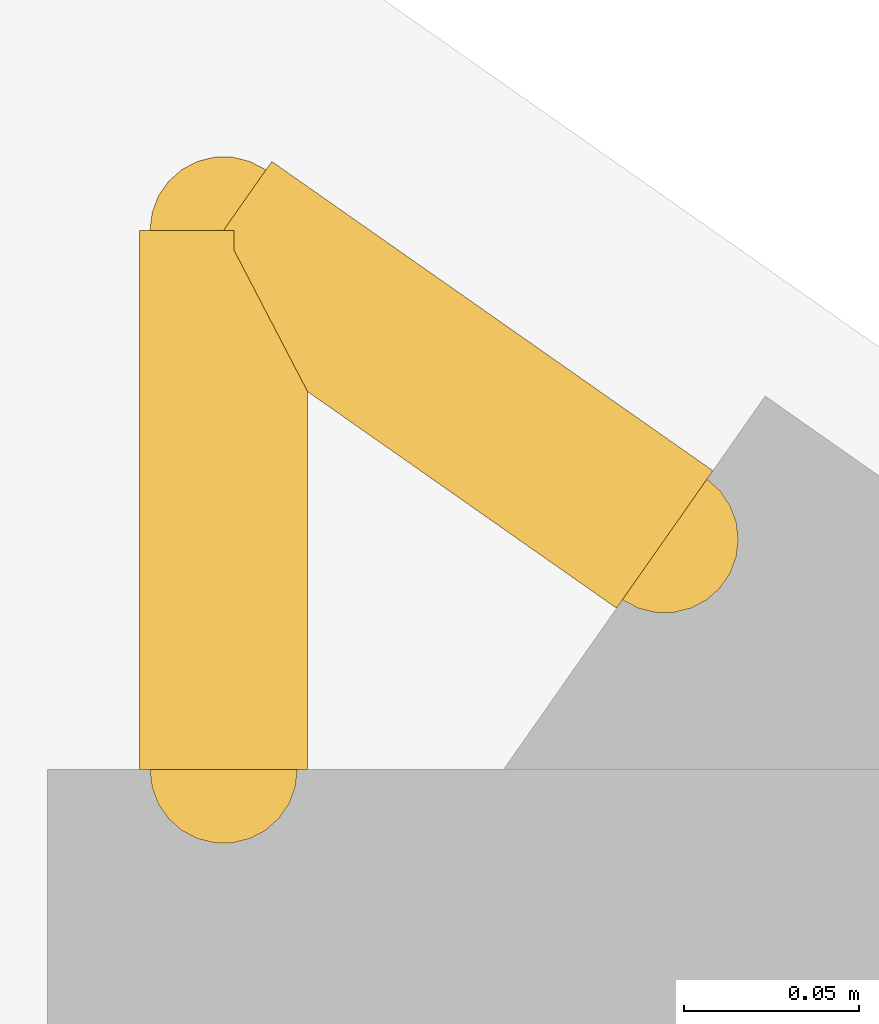
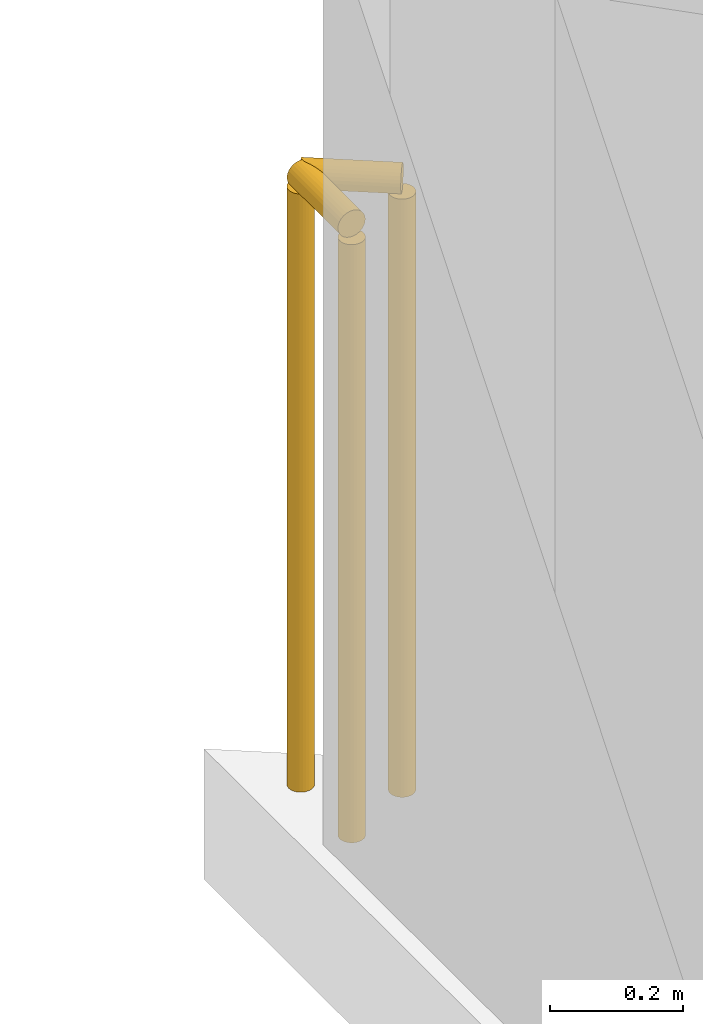
# One storey, part 15 of 15: 2 railings.
"""IFC4 building model written with IfcOpenShell, lengths in metres."""

from ifc_helpers import new_model, si_unit, direction, frame, origin, origin_2d, place, context, subcontext, project, spatial, circle, extrude, material, type_object, element, save


model = new_model("IFC4")

# Units and contexts
model_context = context("Model", 3, precision=1e-05, world=origin(), true_north=direction((0.0, 1.0)))
body_context = subcontext(model_context, "Body", "Model", "MODEL_VIEW")
ifc_project = project(units=[si_unit("LENGTHUNIT", "METRE"), si_unit("AREAUNIT", "SQUARE_METRE"), si_unit("VOLUMEUNIT", "CUBIC_METRE"), si_unit("PLANEANGLEUNIT", "RADIAN"), si_unit("MASSUNIT", "GRAM", prefix="KILO")], contexts=[model_context])

# Site, building, storey
site_placement = place(None, origin())
site = spatial("IfcSite", under=ifc_project, at=site_placement, CompositionType="ELEMENT")
building_placement = place(site_placement, origin())
building = spatial("IfcBuilding", under=site, at=building_placement, Name="Varnakote Quay Hospital", CompositionType="ELEMENT")
storey_placement = place(building_placement, frame((0.0, 0.0, 207.89990234375)))
storey = spatial("IfcBuildingStorey", under=building, at=storey_placement, Name="L51", CompositionType="ELEMENT", Elevation=207.89990234375)

# Railings
ifc_material = material(Name="Anodised aluminium 6063-T6 Bronze", Category="aluminium")
railing_type = type_object("IfcRailingType", Name="RLG-EXT-GUARD-1150", PredefinedType="GUARDRAIL", material=ifc_material)
railing_1_placement = place(storey_placement, frame((2.580078125, 42.492431640625, 0.0)))
element("IfcRailing", 1, at=railing_1_placement, inside=storey, type_object=railing_type, Name="L51 Slab Edge Perimeter Safety Guard", PredefinedType="GUARDRAIL", context=body_context, shape_type="SweptSolid", body=[
    extrude(circle(Radius=0.02392578125, at=origin_2d()), frame((0.0, 0.0, 1.1259765625), z_axis=(0.0, 1.0, 0.0), x_axis=(-1.0, 0.0, 0.0)), (0.0, 0.0, 1.0), 0.15380859375),
    extrude(circle(Radius=0.02099609375, at=origin_2d()), origin(), (0.0, 0.0, 1.0), 1.101806640625),
    extrude(circle(Radius=0.02099609375, at=origin_2d()), frame((0.0, 0.15380859375, 0.0)), (0.0, 0.0, 1.0), 1.101806640625),
])
railing_2_placement = place(storey_placement, frame((2.580078125, 42.646240234375, 0.0)))
element("IfcRailing", 2, at=railing_2_placement, inside=storey, type_object=railing_type, Name="L51 Slab Edge Perimeter Safety Guard", PredefinedType="GUARDRAIL", context=body_context, shape_type="SweptSolid", body=[
    extrude(circle(Radius=0.02392578125, at=origin_2d()), frame((0.0, 0.0, 1.1259765625), z_axis=(0.818858253068, -0.57399578516, 0.0), x_axis=(0.57399578516, 0.818858253068, 0.0)), (0.0, 0.0, 1.0), 0.153564453125),
    extrude(circle(Radius=0.02099609375, at=origin_2d()), origin(), (0.0, 0.0, 1.0), 1.101806640625),
    extrude(circle(Radius=0.02099609375, at=origin_2d()), frame((0.125732421875, -0.088134765625, 0.0)), (0.0, 0.0, 1.0), 1.101806640625),
])

save(model, "model.ifc")
